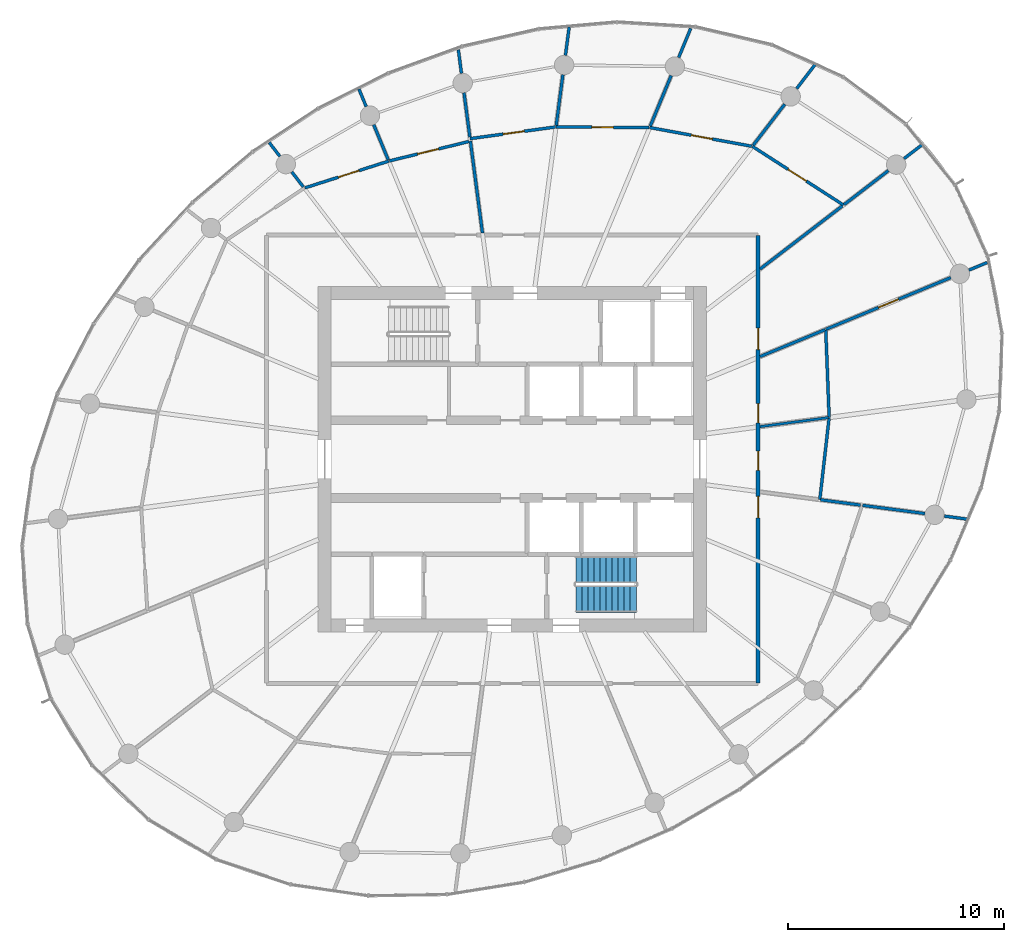
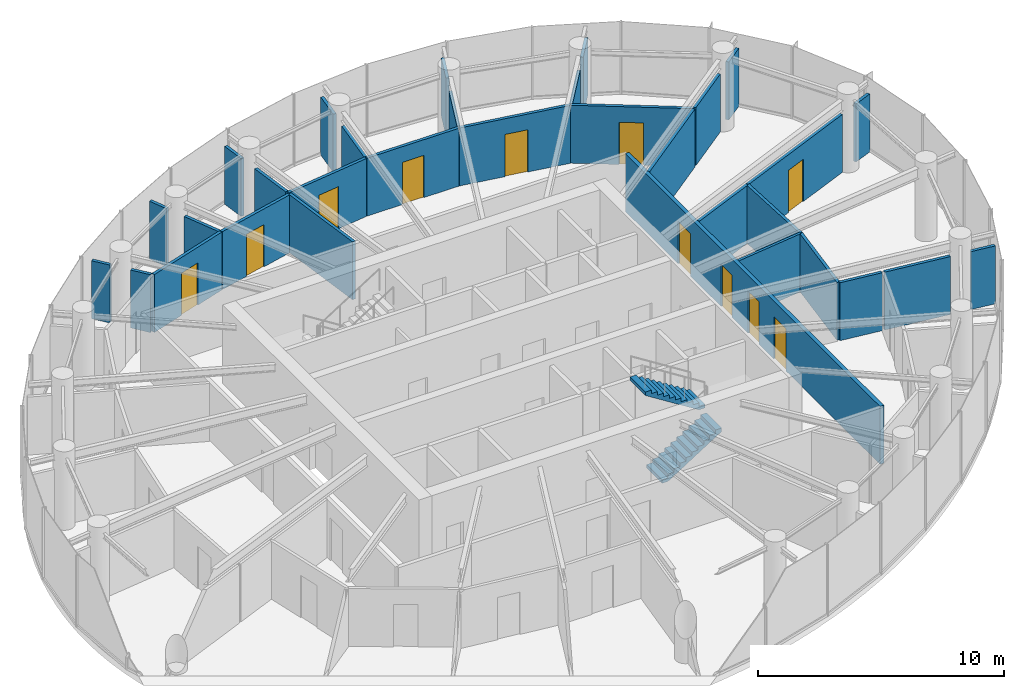
# One storey, part 12 of 15: 32 walls, 11 doors, 2 stair flights, 11 openings, 1 element without a shape of its own.
"""IFC4 building model written with IfcOpenShell, lengths in metres."""

from ifc_helpers import new_model, si_unit, direction, frame, frame_2d, origin, place, context, subcontext, project, spatial, line, indexed_curve, rectangle, outline, extrude, source, transform, mapped, material, layer, layer_set, type_object, element, fill, aggregate, save


model = new_model("IFC4")

# Units and contexts
model_context = context("Model", 3, precision=1e-05, world=origin(), true_north=direction((0.0, 1.0)))
body_context = subcontext(model_context, "Body", "Model", "MODEL_VIEW")
ifc_project = project(units=[si_unit("LENGTHUNIT", "METRE"), si_unit("AREAUNIT", "SQUARE_METRE"), si_unit("VOLUMEUNIT", "CUBIC_METRE"), si_unit("PLANEANGLEUNIT", "RADIAN"), si_unit("MASSUNIT", "GRAM", prefix="KILO")], contexts=[model_context])

# Site, building, storey
site_placement = place(None, origin())
site = spatial("IfcSite", under=ifc_project, at=site_placement, CompositionType="ELEMENT")
building_placement = place(site_placement, origin())
building = spatial("IfcBuilding", under=site, at=building_placement, Name="Spindrift Exchange Tower", CompositionType="ELEMENT")
storey_placement = place(building_placement, frame((0.0, 0.0, 199.39990234375)))
storey = spatial("IfcBuildingStorey", under=building, at=storey_placement, Name="L48", CompositionType="ELEMENT", Elevation=199.39990234375)

# Wall, openings, doors
ifc_material_1 = material(Name="Fire-rated plasterboard partition", Category="gypsum")
ifc_layer_1 = layer(ifc_material_1, 0.179931640625)
ifc_layer_set_1 = layer_set([ifc_layer_1], Name="W-CORR-180")
wall_type_1 = type_object("IfcWallType", Name="W-CORR-180", PredefinedType="PARTITIONING", material=ifc_layer_set_1)
wall_1_placement = place(storey_placement, frame((63.39990234375, 58.3701171875, 0.0), z_axis=(0.0, 0.0, 1.0), x_axis=(0.0, -1.0, 0.0)))
wall_1 = element("IfcWall", 1, at=wall_1_placement, inside=storey, type_object=wall_type_1, Name="L48 Partition wall 29", PredefinedType="PARTITIONING", context=body_context, shape_type="SweptSolid", body=[
    extrude(rectangle(XDim=20.740234375, YDim=0.179931640625, at=frame_2d((10.3701171875, 0.0))), origin(), (0.0, 0.0, 1.0), 2.880126953125),
])
opening_1_placement = place(wall_1_placement, frame((9.989990234375, 0.0, 0.0)))
opening_1 = element("IfcOpeningElement", 2, at=opening_1_placement, cuts=wall_1, Name="Opening L48-D19", PredefinedType="OPENING", context=body_context, shape_type="SweptSolid", body=[
    extrude(rectangle(XDim=0.89990234375, YDim=2.10009765625, at=frame_2d((0.449951171875, 1.050048828125))), frame((0.0, 0.099853515625, 0.0), z_axis=(0.0, -1.0, 0.0), x_axis=(1.0, 0.0, 0.0)), (0.0, 0.0, 1.0), 0.199951171875),
])
opening_2_placement = place(wall_1_placement, frame((7.7900390625, 0.0, 0.0)))
opening_2 = element("IfcOpeningElement", 3, at=opening_2_placement, cuts=wall_1, Name="Opening L48-D20", PredefinedType="OPENING", context=body_context, shape_type="SweptSolid", body=[
    extrude(rectangle(XDim=0.89990234375, YDim=2.10009765625, at=frame_2d((0.449951171875, 1.050048828125))), frame((0.0, 0.099853515625, 0.0), z_axis=(0.0, -1.0, 0.0), x_axis=(1.0, 0.0, 0.0)), (0.0, 0.0, 1.0), 0.199951171875),
])
opening_3_placement = place(wall_1_placement, frame((4.2900390625, 0.0, 0.0)))
opening_3 = element("IfcOpeningElement", 4, at=opening_3_placement, cuts=wall_1, Name="Opening L48-D21", PredefinedType="OPENING", context=body_context, shape_type="SweptSolid", body=[
    extrude(rectangle(XDim=1.0, YDim=2.10009765625, at=frame_2d((0.5, 1.050048828125))), frame((0.0, 0.099853515625, 0.0), z_axis=(0.0, -1.0, 0.0), x_axis=(1.0, 0.0, 0.0)), (0.0, 0.0, 1.0), 0.199951171875),
])
opening_4_placement = place(wall_1_placement, frame((12.090087890625, 0.0, 0.0)))
opening_4 = element("IfcOpeningElement", 5, at=opening_4_placement, cuts=wall_1, Name="Opening L48-D45", PredefinedType="OPENING", context=body_context, shape_type="SweptSolid", body=[
    extrude(rectangle(XDim=1.0, YDim=2.10009765625, at=frame_2d((0.5, 1.050048828125))), frame((0.0, 0.099853515625, 0.0), z_axis=(0.0, -1.0, 0.0), x_axis=(1.0, 0.0, 0.0)), (0.0, 0.0, 1.0), 0.199951171875),
])
ifc_material_2 = material(Name="Timber-core fire door", Category="wood")
door_type_1 = type_object("IfcDoorType", Name="DR-ROOM-1000", OperationType="NOTDEFINED", PredefinedType="DOOR", material=ifc_material_2)
shared_shape_1 = source(origin(), body_context, "Body", "SweptSolid", [
    extrude(rectangle(XDim=1.0, YDim=2.10009765625, at=frame_2d((0.5, 1.050048828125))), frame((0.0, 0.02490234375, 0.0), z_axis=(0.0, -1.0, 0.0), x_axis=(1.0, 0.0, 0.0)), (0.0, 0.0, 1.0), 0.050048828125),
])
door_1_placement = place(opening_3_placement, origin())
door_1 = element("IfcDoor", 6, at=door_1_placement, inside=storey, type_object=door_type_1, Name="L48 Door 21", OperationType="SINGLE_SWING_LEFT", OverallHeight=2.10009765625, OverallWidth=1.0, PredefinedType="DOOR", context=body_context, shape_type="MappedRepresentation", body=[
    mapped(shared_shape_1, transform((0.0, 0.0, 0.0), scale=1.0)),
])
fill(opening_3, door_1)
door_2_placement = place(opening_4_placement, origin())
door_2 = element("IfcDoor", 7, at=door_2_placement, inside=storey, type_object=door_type_1, Name="L48 Door 45", OperationType="SINGLE_SWING_LEFT", OverallHeight=2.10009765625, OverallWidth=1.0, PredefinedType="DOOR", context=body_context, shape_type="MappedRepresentation", body=[
    mapped(shared_shape_1, transform((0.0, 0.0, 0.0), scale=1.0)),
])
fill(opening_4, door_2)
ifc_material_3 = material(Name="Laminate washroom door", Category="wood")
door_type_2 = type_object("IfcDoorType", Name="DR-WC-900", OperationType="NOTDEFINED", PredefinedType="DOOR", material=ifc_material_3)
shared_shape_2 = source(origin(), body_context, "Body", "SweptSolid", [
    extrude(rectangle(XDim=0.89990234375, YDim=2.10009765625, at=frame_2d((0.449951171875, 1.050048828125))), frame((0.0, 0.02490234375, 0.0), z_axis=(0.0, -1.0, 0.0), x_axis=(1.0, 0.0, 0.0)), (0.0, 0.0, 1.0), 0.050048828125),
])
door_3_placement = place(opening_1_placement, origin())
door_3 = element("IfcDoor", 8, at=door_3_placement, inside=storey, type_object=door_type_2, Name="L48 WC door 19", OperationType="SINGLE_SWING_LEFT", OverallHeight=2.10009765625, OverallWidth=0.89990234375, PredefinedType="DOOR", context=body_context, shape_type="MappedRepresentation", body=[
    mapped(shared_shape_2, transform((0.0, 0.0, 0.0), scale=1.0)),
])
fill(opening_1, door_3)
door_4_placement = place(opening_2_placement, origin())
door_4 = element("IfcDoor", 9, at=door_4_placement, inside=storey, type_object=door_type_2, Name="L48 WC door 20", OperationType="SINGLE_SWING_RIGHT", OverallHeight=2.10009765625, OverallWidth=0.89990234375, PredefinedType="DOOR", context=body_context, shape_type="MappedRepresentation", body=[
    mapped(shared_shape_2, transform((0.0, 0.0, 0.0), scale=1.0)),
])
fill(opening_2, door_4)

# Wall, opening, door
ifc_layer_2 = layer(ifc_material_1, 0.139892578125)
ifc_layer_set_2 = layer_set([ifc_layer_2], Name="W-PART-140")
wall_type_2 = type_object("IfcWallType", Name="W-PART-140", PredefinedType="PARTITIONING", material=ifc_layer_set_2)
wall_2_placement = place(storey_placement, frame((72.332763671875, 56.422119140625, 0.0), z_axis=(0.0, 0.0, 1.0), x_axis=(-0.92388406428, -0.382672491525, 0.0)))
wall_2 = element("IfcWall", 10, at=wall_2_placement, inside=storey, type_object=wall_type_2, Name="L48 Partition wall 31", PredefinedType="PARTITIONING", context=body_context, shape_type="SweptSolid", body=[
    extrude(rectangle(XDim=6.275146484375, YDim=0.139892578125, at=frame_2d((3.1376953125, 0.0))), origin(), (0.0, 0.0, 1.0), 2.880126953125),
])
opening_5_placement = place(wall_2_placement, frame((2.625244140625, 0.0, 0.0)))
opening_5 = element("IfcOpeningElement", 11, at=opening_5_placement, cuts=wall_2, Name="Opening L48-D22", PredefinedType="OPENING", context=body_context, shape_type="SweptSolid", body=[
    extrude(rectangle(XDim=1.0, YDim=2.10009765625, at=frame_2d((0.5, 1.050048828125))), frame((0.0, 0.079833984375, 0.0), z_axis=(0.0, -1.0, 0.0), x_axis=(1.0, 0.0, 0.0)), (0.0, 0.0, 1.0), 0.159912109375),
])
door_5_placement = place(opening_5_placement, origin())
door_5 = element("IfcDoor", 12, at=door_5_placement, inside=storey, type_object=door_type_1, Name="L48 Door 22", OperationType="SINGLE_SWING_RIGHT", OverallHeight=2.10009765625, OverallWidth=1.0, PredefinedType="DOOR", context=body_context, shape_type="MappedRepresentation", body=[
    mapped(shared_shape_1, transform((0.0, 0.0, 0.0), scale=1.0)),
])
fill(opening_5, door_5)

wall_3_placement = place(storey_placement, frame((63.132080078125, 62.507568359375, 0.0), z_axis=(0.0, 0.0, 1.0), x_axis=(0.840745911146, -0.541429878092, 0.0)))
wall_3 = element("IfcWall", 13, at=wall_3_placement, inside=storey, type_object=wall_type_2, Name="L48 Partition wall 33", PredefinedType="PARTITIONING", context=body_context, shape_type="SweptSolid", body=[
    extrude(rectangle(XDim=5.02783203125, YDim=0.139892578125, at=frame_2d((2.513916015625, 0.0))), origin(), (0.0, 0.0, 1.0), 2.880126953125),
])
opening_6_placement = place(wall_3_placement, frame((1.977783203125, 0.0, 0.0)))
opening_6 = element("IfcOpeningElement", 14, at=opening_6_placement, cuts=wall_3, Name="Opening L48-D24", PredefinedType="OPENING", context=body_context, shape_type="SweptSolid", body=[
    extrude(rectangle(XDim=1.0, YDim=2.10009765625, at=frame_2d((0.5, 1.050048828125))), frame((0.0, 0.079833984375, 0.0), z_axis=(0.0, -1.0, 0.0), x_axis=(1.0, 0.0, 0.0)), (0.0, 0.0, 1.0), 0.159912109375),
])
door_6_placement = place(opening_6_placement, origin())
door_6 = element("IfcDoor", 15, at=door_6_placement, inside=storey, type_object=door_type_1, Name="L48 Door 24", OperationType="SINGLE_SWING_RIGHT", OverallHeight=2.10009765625, OverallWidth=1.0, PredefinedType="DOOR", context=body_context, shape_type="MappedRepresentation", body=[
    mapped(shared_shape_1, transform((0.0, 0.0, 0.0), scale=1.0)),
])
fill(opening_6, door_6)

# Wall
wall_4_placement = place(storey_placement, frame((63.489990234375, 56.816650390625, 0.0), z_axis=(0.0, 0.0, 1.0), x_axis=(0.793351007213, 0.608764469523, 0.0)))
element("IfcWall", 16, at=wall_4_placement, inside=storey, type_object=wall_type_2, Name="L48 Partition wall 34", PredefinedType="PARTITIONING", context=body_context, shape_type="SweptSolid", body=[
    extrude(rectangle(XDim=4.802490234375, YDim=0.139892578125, at=frame_2d((2.4013671875, 0.0))), origin(), (0.0, 0.0, 1.0), 2.880126953125),
])

# Wall, opening, door
wall_5_placement = place(storey_placement, frame((58.37060546875, 63.3798828125, 0.0), z_axis=(0.0, 0.0, 1.0), x_axis=(0.983627854142, -0.180211665982, 0.0)))
wall_5 = element("IfcWall", 17, at=wall_5_placement, inside=storey, type_object=wall_type_2, Name="L48 Partition wall 35", PredefinedType="PARTITIONING", context=body_context, shape_type="SweptSolid", body=[
    extrude(rectangle(XDim=4.810791015625, YDim=0.139892578125, at=frame_2d((2.4052734375, 0.0))), origin(), (0.0, 0.0, 1.0), 2.880126953125),
])
opening_7_placement = place(wall_5_placement, frame((1.960693359375, 0.0, 0.0)))
opening_7 = element("IfcOpeningElement", 18, at=opening_7_placement, cuts=wall_5, Name="Opening L48-D25", PredefinedType="OPENING", context=body_context, shape_type="SweptSolid", body=[
    extrude(rectangle(XDim=1.0, YDim=2.10009765625, at=frame_2d((0.5, 1.050048828125))), frame((0.0, 0.079833984375, 0.0), z_axis=(0.0, -1.0, 0.0), x_axis=(1.0, 0.0, 0.0)), (0.0, 0.0, 1.0), 0.159912109375),
])
door_7_placement = place(opening_7_placement, origin())
door_7 = element("IfcDoor", 19, at=door_7_placement, inside=storey, type_object=door_type_1, Name="L48 Door 25", OperationType="SINGLE_SWING_LEFT", OverallHeight=2.10009765625, OverallWidth=1.0, PredefinedType="DOOR", context=body_context, shape_type="MappedRepresentation", body=[
    mapped(shared_shape_1, transform((0.0, 0.0, 0.0), scale=1.0)),
])
fill(opening_7, door_7)

# Wall
wall_6_placement = place(storey_placement, frame((50.618896484375, 58.489990234375, 0.0), z_axis=(0.0, 0.0, 1.0), x_axis=(-0.13048832594, 0.991449845829, 0.0)))
element("IfcWall", 20, at=wall_6_placement, inside=storey, type_object=wall_type_2, Name="L48 Partition wall 43", PredefinedType="PARTITIONING", context=body_context, shape_type="SweptSolid", body=[
    extrude(rectangle(XDim=4.295654296875, YDim=0.139892578125, at=frame_2d((2.14794921875, 0.0))), origin(), (0.0, 0.0, 1.0), 2.880126953125),
])

# Wall, opening, door
wall_7_placement = place(storey_placement, frame((54.02880859375, 63.409912109375, 0.0), z_axis=(0.0, 0.0, 1.0), x_axis=(0.999976141478, -0.006907711299, 0.0)))
wall_7 = element("IfcWall", 21, at=wall_7_placement, inside=storey, type_object=wall_type_2, Name="L48 Partition wall 44", PredefinedType="PARTITIONING", context=body_context, shape_type="SweptSolid", body=[
    extrude(rectangle(XDim=4.311767578125, YDim=0.139892578125, at=frame_2d((2.15576171875, 0.0))), origin(), (0.0, 0.0, 1.0), 2.880126953125),
])
opening_8_placement = place(wall_7_placement, frame((1.662109375, 0.0, 0.0)))
opening_8 = element("IfcOpeningElement", 22, at=opening_8_placement, cuts=wall_7, Name="Opening L48-D26", PredefinedType="OPENING", context=body_context, shape_type="SweptSolid", body=[
    extrude(rectangle(XDim=1.0, YDim=2.10009765625, at=frame_2d((0.5, 1.050048828125))), frame((0.0, 0.079833984375, 0.0), z_axis=(0.0, -1.0, 0.0), x_axis=(1.0, 0.0, 0.0)), (0.0, 0.0, 1.0), 0.159912109375),
])
door_8_placement = place(opening_8_placement, origin())
door_8 = element("IfcDoor", 23, at=door_8_placement, inside=storey, type_object=door_type_1, Name="L48 Door 26", OperationType="SINGLE_SWING_RIGHT", OverallHeight=2.10009765625, OverallWidth=1.0, PredefinedType="DOOR", context=body_context, shape_type="MappedRepresentation", body=[
    mapped(shared_shape_1, transform((0.0, 0.0, 0.0), scale=1.0)),
])
fill(opening_8, door_8)

wall_8_placement = place(storey_placement, frame((42.3818359375, 60.580810546875, 0.0), z_axis=(0.0, 0.0, 1.0), x_axis=(0.952547567563, 0.304389769096, 0.0)))
wall_8 = element("IfcWall", 24, at=wall_8_placement, inside=storey, type_object=wall_type_2, Name="L48 Partition wall 53", PredefinedType="PARTITIONING", context=body_context, shape_type="SweptSolid", body=[
    extrude(rectangle(XDim=4.085693359375, YDim=0.139892578125, at=frame_2d((2.04296875, 0.0))), origin(), (0.0, 0.0, 1.0), 2.880126953125),
])
opening_9_placement = place(wall_8_placement, frame((1.6357421875, 0.0, 0.0)))
opening_9 = element("IfcOpeningElement", 25, at=opening_9_placement, cuts=wall_8, Name="Opening L48-D30", PredefinedType="OPENING", context=body_context, shape_type="SweptSolid", body=[
    extrude(rectangle(XDim=1.0, YDim=2.10009765625, at=frame_2d((0.5, 1.050048828125))), frame((0.0, 0.079833984375, 0.0), z_axis=(0.0, -1.0, 0.0), x_axis=(1.0, 0.0, 0.0)), (0.0, 0.0, 1.0), 0.159912109375),
])
door_9_placement = place(opening_9_placement, origin())
door_9 = element("IfcDoor", 26, at=door_9_placement, inside=storey, type_object=door_type_1, Name="L48 Door 30", OperationType="SINGLE_SWING_RIGHT", OverallHeight=2.10009765625, OverallWidth=1.0, PredefinedType="DOOR", context=body_context, shape_type="MappedRepresentation", body=[
    mapped(shared_shape_1, transform((0.0, 0.0, 0.0), scale=1.0)),
])
fill(opening_9, door_9)

# Wall
wall_9_placement = place(storey_placement, frame((66.693359375, 49.934326171875, 0.0), z_axis=(0.0, 0.0, 1.0), x_axis=(-0.038671022185, 0.999251996267, 0.0)))
element("IfcWall", 27, at=wall_9_placement, inside=storey, type_object=wall_type_2, Name="L48 Partition wall 54", PredefinedType="PARTITIONING", context=body_context, shape_type="SweptSolid", body=[
    extrude(rectangle(XDim=4.059326171875, YDim=0.139892578125, at=frame_2d((2.02978515625, 0.0))), origin(), (0.0, 0.0, 1.0), 2.880126953125),
])

# Wall, opening, door
wall_10_placement = place(storey_placement, frame((50.043212890625, 62.8642578125, 0.0), z_axis=(0.0, 0.0, 1.0), x_axis=(0.990760455896, 0.135623445731, 0.0)))
wall_10 = element("IfcWall", 28, at=wall_10_placement, inside=storey, type_object=wall_type_2, Name="L48 Partition wall 55", PredefinedType="PARTITIONING", context=body_context, shape_type="SweptSolid", body=[
    extrude(rectangle(XDim=3.99267578125, YDim=0.139892578125, at=frame_2d((1.996337890625, 0.0))), origin(), (0.0, 0.0, 1.0), 2.880126953125),
])
opening_10_placement = place(wall_10_placement, frame((1.54296875, 0.0, 0.0)))
opening_10 = element("IfcOpeningElement", 29, at=opening_10_placement, cuts=wall_10, Name="Opening L48-D27", PredefinedType="OPENING", context=body_context, shape_type="SweptSolid", body=[
    extrude(rectangle(XDim=1.0, YDim=2.10009765625, at=frame_2d((0.5, 1.050048828125))), frame((0.0, 0.079833984375, 0.0), z_axis=(0.0, -1.0, 0.0), x_axis=(1.0, 0.0, 0.0)), (0.0, 0.0, 1.0), 0.159912109375),
])
door_10_placement = place(opening_10_placement, origin())
door_10 = element("IfcDoor", 30, at=door_10_placement, inside=storey, type_object=door_type_1, Name="L48 Door 27", OperationType="SINGLE_SWING_LEFT", OverallHeight=2.10009765625, OverallWidth=1.0, PredefinedType="DOOR", context=body_context, shape_type="MappedRepresentation", body=[
    mapped(shared_shape_1, transform((0.0, 0.0, 0.0), scale=1.0)),
])
fill(opening_10, door_10)

wall_11_placement = place(storey_placement, frame((46.302978515625, 61.83154296875, 0.0), z_axis=(0.0, 0.0, 1.0), x_axis=(0.971437570749, 0.23729527205, 0.0)))
wall_11 = element("IfcWall", 31, at=wall_11_placement, inside=storey, type_object=wall_type_2, Name="L48 Partition wall 56", PredefinedType="PARTITIONING", context=body_context, shape_type="SweptSolid", body=[
    extrude(rectangle(XDim=3.79541015625, YDim=0.139892578125, at=frame_2d((1.897705078125, 0.0))), origin(), (0.0, 0.0, 1.0), 2.880126953125),
])
opening_11_placement = place(wall_11_placement, frame((1.345458984375, 0.0, 0.0)))
opening_11 = element("IfcOpeningElement", 32, at=opening_11_placement, cuts=wall_11, Name="Opening L48-D29", PredefinedType="OPENING", context=body_context, shape_type="SweptSolid", body=[
    extrude(rectangle(XDim=1.0, YDim=2.10009765625, at=frame_2d((0.5, 1.050048828125))), frame((0.0, 0.079833984375, 0.0), z_axis=(0.0, -1.0, 0.0), x_axis=(1.0, 0.0, 0.0)), (0.0, 0.0, 1.0), 0.159912109375),
])
door_11_placement = place(opening_11_placement, origin())
door_11 = element("IfcDoor", 33, at=door_11_placement, inside=storey, type_object=door_type_1, Name="L48 Door 29", OperationType="SINGLE_SWING_LEFT", OverallHeight=2.10009765625, OverallWidth=1.0, PredefinedType="DOOR", context=body_context, shape_type="MappedRepresentation", body=[
    mapped(shared_shape_1, transform((0.0, 0.0, 0.0), scale=1.0)),
])
fill(opening_11, door_11)

# Walls
wall_12_placement = place(storey_placement, frame((66.260009765625, 46.12255859375, 0.0), z_axis=(0.0, 0.0, 1.0), x_axis=(0.112951423427, 0.993600511245, 0.0)))
element("IfcWall", 34, at=wall_12_placement, inside=storey, type_object=wall_type_2, Name="L48 Partition wall 59", PredefinedType="PARTITIONING", context=body_context, shape_type="SweptSolid", body=[
    extrude(rectangle(XDim=3.806396484375, YDim=0.139892578125, at=frame_2d((1.9033203125, 0.0))), origin(), (0.0, 0.0, 1.0), 2.880126953125),
])
wall_13_placement = place(storey_placement, frame((63.489990234375, 52.75927734375, 0.0), z_axis=(0.0, 0.0, 1.0), x_axis=(0.923871065891, 0.382703871955, 0.0)))
element("IfcWall", 35, at=wall_13_placement, inside=storey, type_object=wall_type_2, Name="L48 Partition wall 63", PredefinedType="PARTITIONING", context=body_context, shape_type="SweptSolid", body=[
    extrude(rectangle(XDim=3.26611328125, YDim=0.139892578125, at=frame_2d((1.633056640625, 0.0))), origin(), (0.0, 0.0, 1.0), 2.880126953125),
])
wall_14_placement = place(storey_placement, frame((68.24658203125, 45.861083984375, 0.0), z_axis=(0.0, 0.0, 1.0), x_axis=(0.991445722729, -0.130519649411, 0.0)))
element("IfcWall", 36, at=wall_14_placement, inside=storey, type_object=wall_type_2, Name="L48 Partition wall 66", PredefinedType="PARTITIONING", context=body_context, shape_type="SweptSolid", body=[
    extrude(rectangle(XDim=2.90869140625, YDim=0.139892578125, at=frame_2d((1.454345703125, 0.0))), origin(), (0.0, 0.0, 1.0), 2.880126953125),
])
wall_15_placement = place(storey_placement, frame((67.3828125, 59.8037109375, 0.0), z_axis=(0.0, 0.0, 1.0), x_axis=(0.793357937247, 0.608755438092, 0.0)))
element("IfcWall", 37, at=wall_15_placement, inside=storey, type_object=wall_type_2, Name="L48 Partition wall 70", PredefinedType="PARTITIONING", context=body_context, shape_type="SweptSolid", body=[
    extrude(rectangle(XDim=2.5947265625, YDim=0.139892578125, at=frame_2d((1.29736328125, 0.0))), origin(), (0.0, 0.0, 1.0), 2.880126953125),
])
wall_16_placement = place(storey_placement, frame((58.39794921875, 63.4462890625, 0.0), z_axis=(0.0, 0.0, 1.0), x_axis=(0.382748544054, 0.923852559679, 0.0)))
element("IfcWall", 38, at=wall_16_placement, inside=storey, type_object=wall_type_2, Name="L48 Partition wall 71", PredefinedType="PARTITIONING", context=body_context, shape_type="SweptSolid", body=[
    extrude(rectangle(XDim=2.5361328125, YDim=0.139892578125, at=frame_2d((1.26806640625, 0.0))), origin(), (0.0, 0.0, 1.0), 2.880126953125),
])
wall_17_placement = place(storey_placement, frame((63.1748046875, 62.563232421875, 0.0), z_axis=(0.0, 0.0, 1.0), x_axis=(0.608759077064, 0.793355144996, 0.0)))
element("IfcWall", 39, at=wall_17_placement, inside=storey, type_object=wall_type_2, Name="L48 Partition wall 72", PredefinedType="PARTITIONING", context=body_context, shape_type="SweptSolid", body=[
    extrude(rectangle(XDim=2.393798828125, YDim=0.139892578125, at=frame_2d((1.19677734375, 0.0))), origin(), (0.0, 0.0, 1.0), 2.880126953125),
])
wall_18_placement = place(storey_placement, frame((54.037841796875, 63.479736328125, 0.0), z_axis=(0.0, 0.0, 1.0), x_axis=(0.130617183763, 0.991432877862, 0.0)))
element("IfcWall", 40, at=wall_18_placement, inside=storey, type_object=wall_type_2, Name="L48 Partition wall 73", PredefinedType="PARTITIONING", context=body_context, shape_type="SweptSolid", body=[
    extrude(rectangle(XDim=2.3681640625, YDim=0.139892578125, at=frame_2d((1.18408203125, 0.0))), origin(), (0.0, 0.0, 1.0), 2.880126953125),
])
wall_19_placement = place(storey_placement, frame((50.033935546875, 62.93359375, 0.0), z_axis=(0.0, 0.0, 1.0), x_axis=(-0.130530560755, 0.991444286236, 0.0)))
element("IfcWall", 41, at=wall_19_placement, inside=storey, type_object=wall_type_2, Name="L48 Partition wall 76", PredefinedType="PARTITIONING", context=body_context, shape_type="SweptSolid", body=[
    extrude(rectangle(XDim=2.076171875, YDim=0.139892578125, at=frame_2d((1.0380859375, 0.0))), origin(), (0.0, 0.0, 1.0), 2.880126953125),
])
wall_20_placement = place(storey_placement, frame((66.289794921875, 46.11865234375, 0.0), z_axis=(0.0, 0.0, 1.0), x_axis=(0.991446305504, -0.130515222489, 0.0)))
element("IfcWall", 42, at=wall_20_placement, inside=storey, type_object=wall_type_2, Name="L48 Partition wall 77", PredefinedType="PARTITIONING", context=body_context, shape_type="SweptSolid", body=[
    extrude(rectangle(XDim=1.87255859375, YDim=0.139892578125, at=frame_2d((0.936279296875, 0.0))), origin(), (0.0, 0.0, 1.0), 2.880126953125),
])
wall_21_placement = place(storey_placement, frame((46.246826171875, 61.889404296875, 0.0), z_axis=(0.0, 0.0, 1.0), x_axis=(-0.382658917189, 0.923889686649, 0.0)))
element("IfcWall", 43, at=wall_21_placement, inside=storey, type_object=wall_type_2, Name="L48 Partition wall 79", PredefinedType="PARTITIONING", context=body_context, shape_type="SweptSolid", body=[
    extrude(rectangle(XDim=1.755126953125, YDim=0.139892578125, at=frame_2d((0.87744140625, 0.0))), origin(), (0.0, 0.0, 1.0), 2.880126953125),
])
wall_22_placement = place(storey_placement, frame((59.716796875, 66.630126953125, 0.0), z_axis=(0.0, 0.0, 1.0), x_axis=(0.382652525483, 0.923892333955, 0.0)))
element("IfcWall", 44, at=wall_22_placement, inside=storey, type_object=wall_type_2, Name="L48 Partition wall 81", PredefinedType="PARTITIONING", context=body_context, shape_type="SweptSolid", body=[
    extrude(rectangle(XDim=1.457763671875, YDim=0.139892578125, at=frame_2d((0.72900390625, 0.0))), origin(), (0.0, 0.0, 1.0), 2.880126953125),
])
wall_23_placement = place(storey_placement, frame((65.185546875, 65.18359375, 0.0), z_axis=(0.0, 0.0, 1.0), x_axis=(0.608686646562, 0.793410717281, 0.0)))
element("IfcWall", 45, at=wall_23_placement, inside=storey, type_object=wall_type_2, Name="L48 Partition wall 84", PredefinedType="PARTITIONING", context=body_context, shape_type="SweptSolid", body=[
    extrude(rectangle(XDim=1.40625, YDim=0.139892578125, at=frame_2d((0.703125, 0.0))), origin(), (0.0, 0.0, 1.0), 2.880126953125),
])
wall_24_placement = place(storey_placement, frame((54.4658203125, 66.72900390625, 0.0), z_axis=(0.0, 0.0, 1.0), x_axis=(0.13056005306, 0.991440402921, 0.0)))
element("IfcWall", 46, at=wall_24_placement, inside=storey, type_object=wall_type_2, Name="L48 Partition wall 86", PredefinedType="PARTITIONING", context=body_context, shape_type="SweptSolid", body=[
    extrude(rectangle(XDim=1.31640625, YDim=0.139892578125, at=frame_2d((0.658203125, 0.0))), origin(), (0.0, 0.0, 1.0), 2.880126953125),
])
wall_25_placement = place(storey_placement, frame((49.644287109375, 65.89306640625, 0.0), z_axis=(0.0, 0.0, 1.0), x_axis=(-0.130551983722, 0.991441465517, 0.0)))
element("IfcWall", 47, at=wall_25_placement, inside=storey, type_object=wall_type_2, Name="L48 Partition wall 87", PredefinedType="PARTITIONING", context=body_context, shape_type="SweptSolid", body=[
    extrude(rectangle(XDim=1.1015625, YDim=0.139892578125, at=frame_2d((0.55078125, 0.0))), origin(), (0.0, 0.0, 1.0), 2.880126953125),
])
wall_26_placement = place(storey_placement, frame((70.16259765625, 61.936767578125, 0.0), z_axis=(0.0, 0.0, 1.0), x_axis=(0.793452471415, 0.608632217029, 0.0)))
element("IfcWall", 48, at=wall_26_placement, inside=storey, type_object=wall_type_2, Name="L48 Partition wall 89", PredefinedType="PARTITIONING", context=body_context, shape_type="SweptSolid", body=[
    extrude(rectangle(XDim=1.072509765625, YDim=0.139892578125, at=frame_2d((0.5361328125, 0.0))), origin(), (0.0, 0.0, 1.0), 2.880126953125),
])
wall_27_placement = place(storey_placement, frame((72.031494140625, 45.36279296875, 0.0), z_axis=(0.0, 0.0, 1.0), x_axis=(0.991454295543, -0.130454512571, 0.0)))
element("IfcWall", 49, at=wall_27_placement, inside=storey, type_object=wall_type_2, Name="L48 Partition wall 91", PredefinedType="PARTITIONING", context=body_context, shape_type="SweptSolid", body=[
    extrude(rectangle(XDim=1.066650390625, YDim=0.139892578125, at=frame_2d((0.533203125, 0.0))), origin(), (0.0, 0.0, 1.0), 2.880126953125),
])
wall_28_placement = place(storey_placement, frame((42.310546875, 60.62744140625, 0.0), z_axis=(0.0, 0.0, 1.0), x_axis=(-0.608659697441, 0.793431391307, 0.0)))
element("IfcWall", 50, at=wall_28_placement, inside=storey, type_object=wall_type_2, Name="L48 Partition wall 96", PredefinedType="PARTITIONING", context=body_context, shape_type="SweptSolid", body=[
    extrude(rectangle(XDim=0.8759765625, YDim=0.139892578125, at=frame_2d((0.43798828125, 0.0))), origin(), (0.0, 0.0, 1.0), 2.880126953125),
])
wall_29_placement = place(storey_placement, frame((73.173583984375, 56.770263671875, 0.0), z_axis=(0.0, 0.0, 1.0), x_axis=(0.923854619105, 0.382743573112, 0.0)))
element("IfcWall", 51, at=wall_29_placement, inside=storey, type_object=wall_type_2, Name="L48 Partition wall 97", PredefinedType="PARTITIONING", context=body_context, shape_type="SweptSolid", body=[
    extrude(rectangle(XDim=0.917236328125, YDim=0.139892578125, at=frame_2d((0.45849609375, 0.0))), origin(), (0.0, 0.0, 1.0), 2.880126953125),
])
wall_30_placement = place(storey_placement, frame((45.226806640625, 64.351806640625, 0.0), z_axis=(0.0, 0.0, 1.0), x_axis=(-0.382672260774, 0.923884159857, 0.0)))
element("IfcWall", 52, at=wall_30_placement, inside=storey, type_object=wall_type_2, Name="L48 Partition wall 101", PredefinedType="PARTITIONING", context=body_context, shape_type="SweptSolid", body=[
    extrude(rectangle(XDim=0.874755859375, YDim=0.139892578125, at=frame_2d((0.4375, 0.0))), origin(), (0.0, 0.0, 1.0), 2.880126953125),
])
wall_31_placement = place(storey_placement, frame((41.22412109375, 62.043701171875, 0.0), z_axis=(0.0, 0.0, 1.0), x_axis=(-0.60901253632, 0.793160595721, 0.0)))
element("IfcWall", 53, at=wall_31_placement, inside=storey, type_object=wall_type_2, Name="L48 Partition wall 104", PredefinedType="PARTITIONING", context=body_context, shape_type="SweptSolid", body=[
    extrude(rectangle(XDim=0.811279296875, YDim=0.139892578125, at=frame_2d((0.40576171875, 0.0))), origin(), (0.0, 0.0, 1.0), 2.880126953125),
])
ifc_layer_3 = layer(ifc_material_1, 0.1201171875)
ifc_layer_set_3 = layer_set([ifc_layer_3], Name="W-WET-120")
wall_type_3 = type_object("IfcWallType", Name="W-WET-120", PredefinedType="PARTITIONING", material=ifc_layer_set_3)
wall_32_placement = place(storey_placement, frame((63.489990234375, 49.5126953125, 0.0), z_axis=(0.0, 0.0, 1.0), x_axis=(0.991448323654, 0.130499890897, 0.0)))
element("IfcWall", 54, at=wall_32_placement, inside=storey, type_object=wall_type_3, Name="L48 Partition wall 107", PredefinedType="PARTITIONING", context=body_context, shape_type="SweptSolid", body=[
    extrude(rectangle(XDim=3.200927734375, YDim=0.1201171875, at=frame_2d((1.6005859375, 0.0))), origin(), (0.0, 0.0, 1.0), 2.880126953125),
])

# Stair, stair flights
ifc_material_4 = material(Name="Concrete 50 MPa", Category="concrete")
stair_type = type_object("IfcStairType", Name="ST-1250-R177", PredefinedType="HALF_TURN_STAIR", material=ifc_material_4)
stair_placement = place(storey_placement, origin())
stair = element("IfcStair", 55, at=stair_placement, inside=storey, type_object=stair_type, Name="L48 Exit stair ST2", PredefinedType="HALF_TURN_STAIR")
stair_flight_type = type_object("IfcStairFlightType", Name="STF-1250-R177", PredefinedType="STRAIGHT", material=ifc_material_4)
stair_flight_1_placement = place(storey_placement, frame((54.949951171875, 41.52490234375, 0.0), z_axis=(0.0, 0.0, 1.0), x_axis=(1.0, 0.0, 0.0)))
stair_flight_1 = element("IfcStairFlight", 56, at=stair_flight_1_placement, type_object=stair_flight_type, Name="ST2 flight 1", NumberOfRisers=11, NumberOfTreads=10, PredefinedType="STRAIGHT", RiserHeight=0.177272727, TreadLength=0.28, context=body_context, shape_type="SweptSolid", body=[
    extrude(outline(indexed_curve([(0.0, 0.0), (0.0, 0.177734375), (0.2802734375, 0.177734375), (0.2802734375, 0.3544921875), (0.5595703125, 0.3544921875), (0.5595703125, 0.5322265625), (0.83984375, 0.5322265625), (0.83984375, 0.708984375), (1.1201171875, 0.708984375), (1.1201171875, 0.88671875), (1.400390625, 0.88671875), (1.400390625, 1.0634765625), (1.6796875, 1.0634765625), (1.6796875, 1.2412109375), (1.9599609375, 1.2412109375), (1.9599609375, 1.41796875), (2.240234375, 1.41796875), (2.240234375, 1.595703125), (2.51953125, 1.595703125), (2.51953125, 1.7724609375), (2.7998046875, 1.7724609375), (2.7998046875, 1.9501953125), (2.7998046875, 1.595703125), (0.2802734375, 0.0)], segments=[line(1, 2, 3, 4, 5, 6, 7, 8, 9, 10, 11, 12, 13, 14, 15, 16, 17, 18, 19, 20, 21, 22, 23, 24, 1)], self_intersect=False)), frame((0.0, 0.625, 0.0), z_axis=(0.0, -1.0, 0.0), x_axis=(1.0, 0.0, 0.0)), (0.0, 0.0, 1.0), 1.25),
])
stair_flight_2_placement = place(storey_placement, frame((57.75, 42.875, 1.9501953125), z_axis=(0.0, 0.0, 1.0), x_axis=(-1.0, 0.0, 0.0)))
stair_flight_2 = element("IfcStairFlight", 57, at=stair_flight_2_placement, type_object=stair_flight_type, Name="ST2 flight 2", NumberOfRisers=11, NumberOfTreads=10, PredefinedType="STRAIGHT", RiserHeight=0.177272727, TreadLength=0.28, context=body_context, shape_type="SweptSolid", body=[
    extrude(outline(indexed_curve([(0.0, 0.0), (0.0, 0.177734375), (0.2802734375, 0.177734375), (0.2802734375, 0.3544921875), (0.5595703125, 0.3544921875), (0.5595703125, 0.5322265625), (0.83984375, 0.5322265625), (0.83984375, 0.708984375), (1.1201171875, 0.708984375), (1.1201171875, 0.88671875), (1.400390625, 0.88671875), (1.400390625, 1.0634765625), (1.6796875, 1.0634765625), (1.6796875, 1.2412109375), (1.9599609375, 1.2412109375), (1.9599609375, 1.41796875), (2.240234375, 1.41796875), (2.240234375, 1.595703125), (2.51953125, 1.595703125), (2.51953125, 1.7724609375), (2.7998046875, 1.7724609375), (2.7998046875, 1.9501953125), (2.7998046875, 1.595703125), (0.2802734375, 0.0)], segments=[line(1, 2, 3, 4, 5, 6, 7, 8, 9, 10, 11, 12, 13, 14, 15, 16, 17, 18, 19, 20, 21, 22, 23, 24, 1)], self_intersect=False)), frame((0.0, 0.625, 0.0), z_axis=(0.0, -1.0, 0.0), x_axis=(1.0, 0.0, 0.0)), (0.0, 0.0, 1.0), 1.25),
])
aggregate(stair, [stair_flight_1, stair_flight_2])

save(model, "model.ifc")
